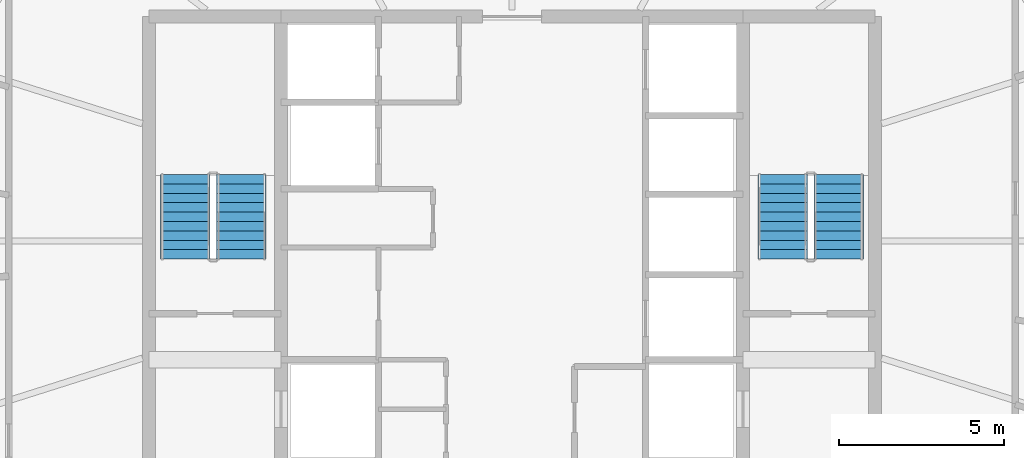
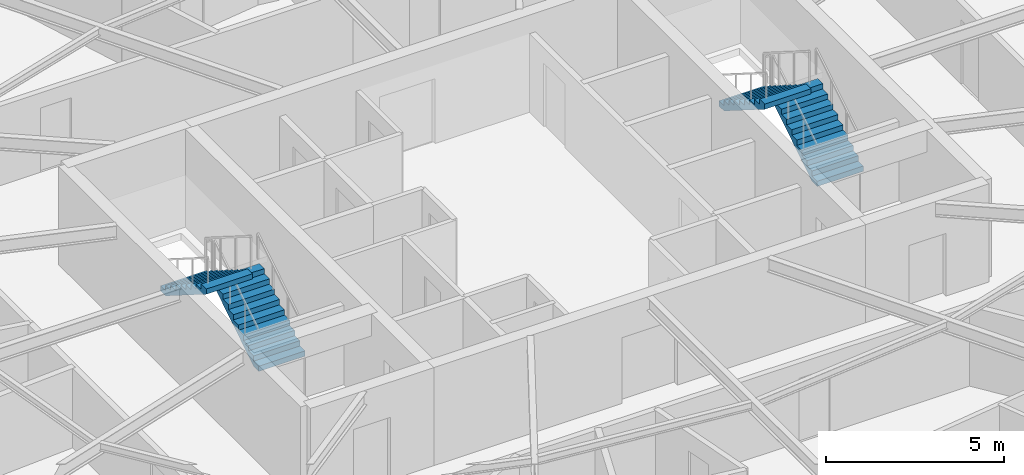
# One storey, part 20 of 23: 4 stair flights, 2 elements without a shape of their own.
"""IFC4 building model written with IfcOpenShell, lengths in metres."""

from ifc_helpers import new_model, si_unit, direction, frame, origin, place, context, subcontext, project, spatial, polyline, outline, extrude, material, type_object, element, aggregate, save


model = new_model("IFC4")

# Units and contexts
model_context = context("Model", 3, precision=1e-05, world=origin(), true_north=direction((0.0, 1.0)))
body_context = subcontext(model_context, "Body", "Model", "MODEL_VIEW")
ifc_project = project(units=[si_unit("LENGTHUNIT", "METRE"), si_unit("AREAUNIT", "SQUARE_METRE"), si_unit("VOLUMEUNIT", "CUBIC_METRE"), si_unit("PLANEANGLEUNIT", "RADIAN"), si_unit("MASSUNIT", "GRAM", prefix="KILO")], contexts=[model_context])

# Site, building, storey
site_placement = place(None, origin())
site = spatial("IfcSite", under=ifc_project, at=site_placement, CompositionType="ELEMENT")
building_placement = place(site_placement, origin())
building = spatial("IfcBuilding", under=site, at=building_placement, Name="Sarneth Arch Tower", CompositionType="ELEMENT")
storey_placement = place(building_placement, frame((0.0, 0.0, 217.199951171875)))
storey = spatial("IfcBuildingStorey", under=building, at=storey_placement, Name="L55", CompositionType="ELEMENT", Elevation=217.199951171875)

# Stair, stair flights
ifc_material_1 = material(Name="Concrete C50/60", Category="concrete")
stair_type = type_object("IfcStairType", Name="STAIR-CORE-RC", PredefinedType="HALF_TURN_STAIR", material=ifc_material_1)
stair_1_placement = place(storey_placement, origin())
stair_1 = element("IfcStair", 1, at=stair_1_placement, inside=storey, type_object=stair_type, Name="L55 Core Exit Stair 1", PredefinedType="HALF_TURN_STAIR")
ifc_material_2 = material(Name="Concrete C50/60", Category="concrete")
stair_flight_type = type_object("IfcStairFlightType", Name="FLIGHT-RC-1500", PredefinedType="STRAIGHT", material=ifc_material_2)
stair_flight_1_placement = place(storey_placement, frame((39.800048828125, 41.449951171875, 0.0), z_axis=(0.0, 0.0, 1.0), x_axis=(0.0, 1.0, 0.0)))
stair_flight_1 = element("IfcStairFlight", 2, at=stair_flight_1_placement, type_object=stair_flight_type, Name="ST-1 flight 1", NumberOfRisers=10, NumberOfTreads=9, PredefinedType="STRAIGHT", RiserHeight=0.18, TreadLength=0.285, context=body_context, shape_type="SweptSolid", body=[
    extrude(outline(polyline([(0.0, 0.0), (0.0, 0.179931640625), (0.284912109375, 0.179931640625), (0.284912109375, 0.360107421875), (0.570068359375, 0.360107421875), (0.570068359375, 0.5400390625), (0.85498046875, 0.5400390625), (0.85498046875, 0.719970703125), (1.139892578125, 0.719970703125), (1.139892578125, 0.89990234375), (1.425048828125, 0.89990234375), (1.425048828125, 1.080078125), (1.7099609375, 1.080078125), (1.7099609375, 1.260009765625), (1.9951171875, 1.260009765625), (1.9951171875, 1.43994140625), (2.280029296875, 1.43994140625), (2.280029296875, 1.6201171875), (2.56494140625, 1.6201171875), (2.56494140625, 1.800048828125), (2.56494140625, 1.442626953125), (0.28076171875, 0.0), (0.0, 0.0)])), frame((0.0, 0.75, 0.0), z_axis=(0.0, -1.0, 0.0), x_axis=(1.0, 0.0, 0.0)), (0.0, 0.0, 1.0), 1.5),
])
stair_flight_2_placement = place(storey_placement, frame((38.10009765625, 44.014892578125, 1.800048828125), z_axis=(0.0, 0.0, 1.0), x_axis=(0.0, -1.0, 0.0)))
stair_flight_2 = element("IfcStairFlight", 3, at=stair_flight_2_placement, type_object=stair_flight_type, Name="ST-1 flight 2", NumberOfRisers=10, NumberOfTreads=9, PredefinedType="STRAIGHT", RiserHeight=0.18, TreadLength=0.285, context=body_context, shape_type="SweptSolid", body=[
    extrude(outline(polyline([(0.0, 0.0), (0.0, 0.179931640625), (0.284912109375, 0.179931640625), (0.284912109375, 0.360107421875), (0.570068359375, 0.360107421875), (0.570068359375, 0.5400390625), (0.85498046875, 0.5400390625), (0.85498046875, 0.719970703125), (1.139892578125, 0.719970703125), (1.139892578125, 0.89990234375), (1.425048828125, 0.89990234375), (1.425048828125, 1.080078125), (1.7099609375, 1.080078125), (1.7099609375, 1.260009765625), (1.9951171875, 1.260009765625), (1.9951171875, 1.43994140625), (2.280029296875, 1.43994140625), (2.280029296875, 1.6201171875), (2.56494140625, 1.6201171875), (2.56494140625, 1.800048828125), (2.56494140625, 1.442626953125), (0.28076171875, 0.0), (0.0, 0.0)])), frame((0.0, 0.75, 0.0), z_axis=(0.0, -1.0, 0.0), x_axis=(1.0, 0.0, 0.0)), (0.0, 0.0, 1.0), 1.5),
])
aggregate(stair_1, [stair_flight_1, stair_flight_2])

stair_2_placement = place(storey_placement, origin())
stair_2 = element("IfcStair", 4, at=stair_2_placement, inside=storey, type_object=stair_type, Name="L55 Core Exit Stair 2", PredefinedType="HALF_TURN_STAIR")
stair_flight_3_placement = place(storey_placement, frame((57.89990234375, 41.449951171875, 0.0), z_axis=(0.0, 0.0, 1.0), x_axis=(0.0, 1.0, 0.0)))
stair_flight_3 = element("IfcStairFlight", 5, at=stair_flight_3_placement, type_object=stair_flight_type, Name="ST-2 flight 1", NumberOfRisers=10, NumberOfTreads=9, PredefinedType="STRAIGHT", RiserHeight=0.18, TreadLength=0.285, context=body_context, shape_type="SweptSolid", body=[
    extrude(outline(polyline([(0.0, 0.0), (0.0, 0.179931640625), (0.284912109375, 0.179931640625), (0.284912109375, 0.360107421875), (0.570068359375, 0.360107421875), (0.570068359375, 0.5400390625), (0.85498046875, 0.5400390625), (0.85498046875, 0.719970703125), (1.139892578125, 0.719970703125), (1.139892578125, 0.89990234375), (1.425048828125, 0.89990234375), (1.425048828125, 1.080078125), (1.7099609375, 1.080078125), (1.7099609375, 1.260009765625), (1.9951171875, 1.260009765625), (1.9951171875, 1.43994140625), (2.280029296875, 1.43994140625), (2.280029296875, 1.6201171875), (2.56494140625, 1.6201171875), (2.56494140625, 1.800048828125), (2.56494140625, 1.442626953125), (0.28076171875, 0.0), (0.0, 0.0)])), frame((0.0, 0.75, 0.0), z_axis=(0.0, -1.0, 0.0), x_axis=(1.0, 0.0, 0.0)), (0.0, 0.0, 1.0), 1.5),
])
stair_flight_4_placement = place(storey_placement, frame((56.199951171875, 44.014892578125, 1.800048828125), z_axis=(0.0, 0.0, 1.0), x_axis=(0.0, -1.0, 0.0)))
stair_flight_4 = element("IfcStairFlight", 6, at=stair_flight_4_placement, type_object=stair_flight_type, Name="ST-2 flight 2", NumberOfRisers=10, NumberOfTreads=9, PredefinedType="STRAIGHT", RiserHeight=0.18, TreadLength=0.285, context=body_context, shape_type="SweptSolid", body=[
    extrude(outline(polyline([(0.0, 0.0), (0.0, 0.179931640625), (0.284912109375, 0.179931640625), (0.284912109375, 0.360107421875), (0.570068359375, 0.360107421875), (0.570068359375, 0.5400390625), (0.85498046875, 0.5400390625), (0.85498046875, 0.719970703125), (1.139892578125, 0.719970703125), (1.139892578125, 0.89990234375), (1.425048828125, 0.89990234375), (1.425048828125, 1.080078125), (1.7099609375, 1.080078125), (1.7099609375, 1.260009765625), (1.9951171875, 1.260009765625), (1.9951171875, 1.43994140625), (2.280029296875, 1.43994140625), (2.280029296875, 1.6201171875), (2.56494140625, 1.6201171875), (2.56494140625, 1.800048828125), (2.56494140625, 1.442626953125), (0.28076171875, 0.0), (0.0, 0.0)])), frame((0.0, 0.75, 0.0), z_axis=(0.0, -1.0, 0.0), x_axis=(1.0, 0.0, 0.0)), (0.0, 0.0, 1.0), 1.5),
])
aggregate(stair_2, [stair_flight_3, stair_flight_4])

save(model, "model.ifc")
